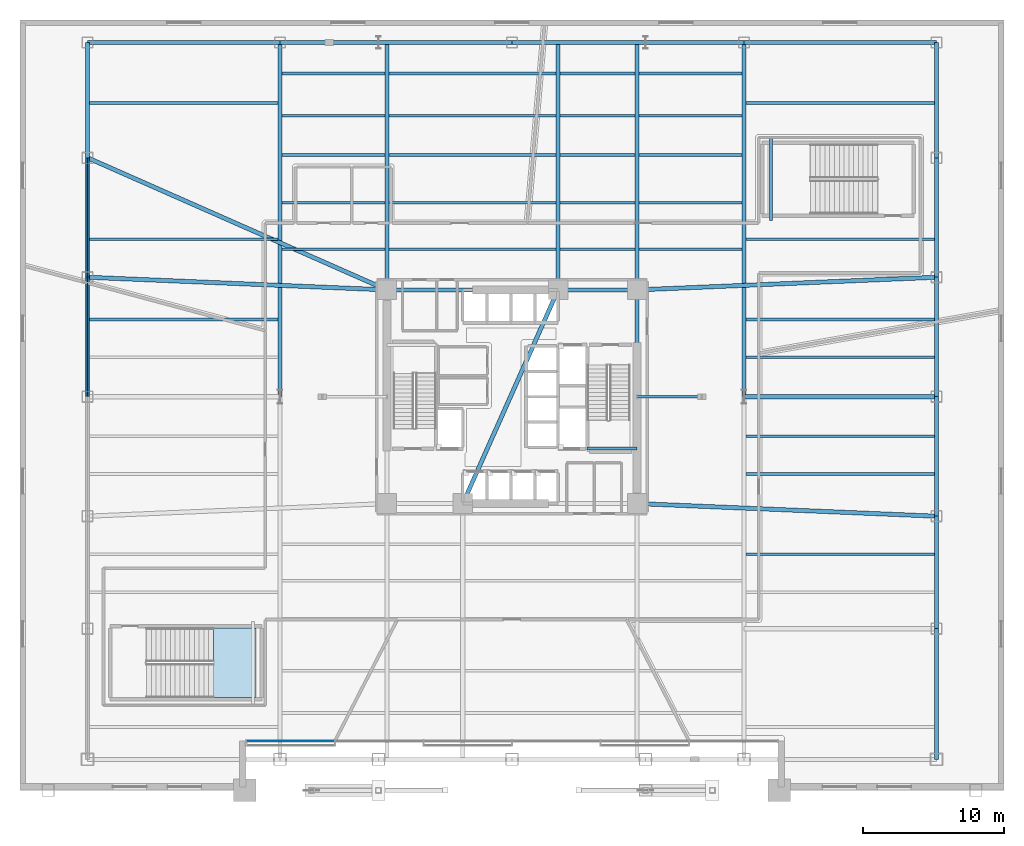
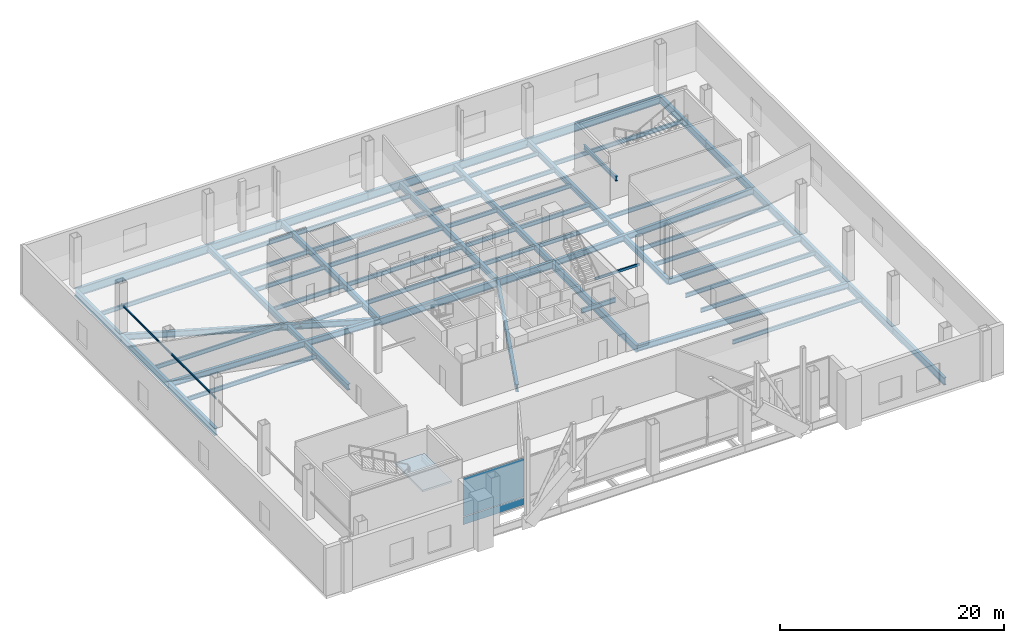
# One storey, part 5 of 16: 62 beams, 2 members, 2 plates, 1 slab, 2 elements without a shape of their own.
"""IFC4 building model written with IfcOpenShell, lengths in metres."""

import ifcopenshell
import ifcopenshell.guid

model = None  # the IFC model being written
_history = None  # IfcOwnerHistory: only IFC2X3 demands one
_inside = {}  # id of a spatial element -> (the spatial element, [elements in it])
_under = {}  # id of a project, library or spatial element -> (it, [spatial elements below it])
_declared = {}  # id of a project -> (the project, [libraries it declares])
_typed = {}  # id of a type object -> (the type object, [elements of that type])
_made_of = {}  # id of a material, layer set ... -> (it, [elements and type objects made of it])


def new_model(schema):
    """Start an empty IFC model of exactly this schema.

    Asked for "IFC4X3", IfcOpenShell would pick the latest addendum, in which some entities
    have other attributes; the version numbers below select the first issue.
    IFC2X3 requires an IfcOwnerHistory on every rooted entity: one is made here for all.
    """
    global model, _history
    if schema == "IFC4X3":
        model = ifcopenshell.file(schema_version=(4, 3, 0, 0))
    else:
        model = ifcopenshell.file(schema=schema)
    _inside.clear()
    _under.clear()
    _declared.clear()
    _typed.clear()
    _made_of.clear()
    _history = None
    if model.schema == "IFC2X3":
        org = make("IfcOrganization", Name="unknown")
        user = make(
            "IfcPersonAndOrganization",
            ThePerson=make("IfcPerson", FamilyName="unknown"),
            TheOrganization=org,
        )
        app = make(
            "IfcApplication",
            ApplicationDeveloper=org,
            Version="unknown",
            ApplicationFullName="unknown",
            ApplicationIdentifier="unknown",
        )
        _history = make(
            "IfcOwnerHistory",
            OwningUser=user,
            OwningApplication=app,
            ChangeAction="ADDED",
            CreationDate=0,
        )
    return model


def make(cls, **values):
    """One entity of the class cls with the attributes given. An attribute that is None is left unset."""
    return model.create_entity(
        cls, **{name: value for name, value in values.items() if value is not None}
    )


def rooted(cls, **values):
    """An entity with a GlobalId (a new one), such as an element, a storey or a relation."""
    return make(cls, GlobalId=ifcopenshell.guid.new(), OwnerHistory=_history, **values)


def si_unit(unit_type, name, prefix=None):
    """IfcSIUnit, for example si_unit("LENGTHUNIT", "METRE", prefix="MILLI")."""
    return make("IfcSIUnit", UnitType=unit_type, Prefix=prefix, Name=name)


def assignment(units):
    """IfcUnitAssignment: the units of a project."""
    return None if units is None else make("IfcUnitAssignment", Units=units)


def point(xyz):
    """IfcCartesianPoint."""
    return None if xyz is None else make("IfcCartesianPoint", Coordinates=xyz)


def direction(xyz):
    """IfcDirection."""
    return None if xyz is None else make("IfcDirection", DirectionRatios=xyz)


def frame(location, z_axis=None, x_axis=None):
    """IfcAxis2Placement3D, a coordinate frame: its origin and axes. An axis left out is left unset."""
    return make(
        "IfcAxis2Placement3D",
        Location=point(location),
        Axis=direction(z_axis),
        RefDirection=direction(x_axis),
    )


def frame_2d(location, x_axis=None):
    """IfcAxis2Placement2D, a coordinate frame in the plane: its origin and x axis."""
    return make(
        "IfcAxis2Placement2D", Location=point(location), RefDirection=direction(x_axis)
    )


def origin():
    """The frame at (0, 0, 0) with its axes left unset."""
    return frame((0.0, 0.0, 0.0))


def origin_2d():
    """The frame at (0, 0) in the plane with its x axis left unset."""
    return frame_2d((0.0, 0.0))


def place(relative_to, where):
    """IfcLocalPlacement: puts the frame where relative to a parent placement (None: the world)."""
    return make(
        "IfcLocalPlacement", PlacementRelTo=relative_to, RelativePlacement=where
    )


def context(
    kind, dimensions, precision=None, world=None, true_north=None, identifier=None
):
    """IfcGeometricRepresentationContext, for example the 3D "Model" context."""
    return make(
        "IfcGeometricRepresentationContext",
        ContextIdentifier=identifier,
        ContextType=kind,
        CoordinateSpaceDimension=dimensions,
        Precision=precision,
        WorldCoordinateSystem=world,
        TrueNorth=true_north,
    )


def subcontext(parent, identifier, kind, view, scale=None):
    """IfcGeometricRepresentationSubContext, for example "Body" below "Model"."""
    return make(
        "IfcGeometricRepresentationSubContext",
        ContextIdentifier=identifier,
        ContextType=kind,
        ParentContext=parent,
        TargetScale=scale,
        TargetView=view,
    )


def project(units=None, contexts=None):
    """IfcProject with its units and contexts."""
    return rooted(
        "IfcProject",
        Name="project",
        RepresentationContexts=contexts,
        UnitsInContext=assignment(units),
    )


def spatial(cls, under=None, at=None, **own):
    """A site, building, storey or space (cls), placed at a placement, below another one or the project."""
    s = rooted(cls, ObjectPlacement=at, **own)
    if under is not None:
        _under.setdefault(under.id(), (under, []))[1].append(s)
    return s


def polyline(points):
    """IfcPolyline through the points."""
    return make("IfcPolyline", Points=[point(p) for p in points])


def profile(cls, at=None, kind="AREA", **sizes):
    """A parametric profile (cls). Its sizes go by their IFC names, for example OverallWidth=200.0."""
    return make(cls, ProfileType=kind, Position=at, **sizes)


def rectangle(**sizes):
    """IfcRectangleProfileDef."""
    return profile("IfcRectangleProfileDef", **sizes)


def hollow_rectangle(**sizes):
    """IfcRectangleHollowProfileDef."""
    return profile("IfcRectangleHollowProfileDef", **sizes)


def i_section(**sizes):
    """IfcIShapeProfileDef."""
    return profile("IfcIShapeProfileDef", **sizes)


def outline(outer, holes=None, kind="AREA"):
    """IfcArbitraryClosedProfileDef: a profile drawn as a closed curve; with holes, ...WithVoids."""
    if holes is None:
        return make("IfcArbitraryClosedProfileDef", ProfileType=kind, OuterCurve=outer)
    return make(
        "IfcArbitraryProfileDefWithVoids",
        ProfileType=kind,
        OuterCurve=outer,
        InnerCurves=holes,
    )


def extrude(swept, where, along, depth):
    """IfcExtrudedAreaSolid: the profile swept, set in the frame where, extruded along a direction by depth."""
    return make(
        "IfcExtrudedAreaSolid",
        SweptArea=swept,
        Position=where,
        ExtrudedDirection=direction(along),
        Depth=depth,
    )


def shape(context_of_items, identifier, shape_type, items):
    """IfcShapeRepresentation: the items that make up one representation, for example the "Body"."""
    return make(
        "IfcShapeRepresentation",
        ContextOfItems=context_of_items,
        RepresentationIdentifier=identifier,
        RepresentationType=shape_type,
        Items=items,
    )


def material(Name=None, Category=None):
    """IfcMaterial."""
    return make("IfcMaterial", Name=Name, Category=Category)


def layer(
    of_material, thickness, ventilated=None, Name=None, Category=None, Priority=None
):
    """IfcMaterialLayer: one layer of a wall or slab, of a material (None: an air gap)."""
    return make(
        "IfcMaterialLayer",
        Material=of_material,
        LayerThickness=thickness,
        IsVentilated=ventilated,
        Name=Name,
        Category=Category,
        Priority=Priority,
    )


def layer_set(layers, Name=None):
    """IfcMaterialLayerSet."""
    return make("IfcMaterialLayerSet", MaterialLayers=layers, LayerSetName=Name)


def material_profile(
    of_material, cross_section, Name=None, Category=None, Priority=None
):
    """IfcMaterialProfile: a cross section and its material."""
    return make(
        "IfcMaterialProfile",
        Name=Name,
        Material=of_material,
        Profile=cross_section,
        Priority=Priority,
        Category=Category,
    )


def profile_set(profiles, Name=None, composite=None):
    """IfcMaterialProfileSet."""
    return make(
        "IfcMaterialProfileSet",
        Name=Name,
        MaterialProfiles=profiles,
        CompositeProfile=composite,
    )


def made_of(thing, what):
    """Note that an element or type object is made of a material, layer set ...; save() writes the relation."""
    if what is not None:
        _made_of.setdefault(what.id(), (what, []))[1].append(thing)
    return thing


def type_object(cls, material=None, **own):
    """A type object (cls), such as IfcWallType, which elements share."""
    return made_of(rooted(cls, **own), material)


def element(
    cls,
    number,
    at=None,
    inside=None,
    cuts=None,
    type_object=None,
    material=None,
    context=None,
    identifier="Body",
    shape_type=None,
    held_by="IfcProductDefinitionShape",
    body=None,
    shapes=None,
    **own,
):
    """One element of the class cls, such as IfcWall. Its Tag is "e" and its number.

    at: its placement. inside: the storey or other place that contains it. cuts: it is an
    opening in that element (IfcRelVoidsElement). A single representation is given by context,
    identifier, shape_type and body (its items); several are given by shapes. held_by: the class
    of the entity that holds the representations. save() writes the other relations.
    """
    e = rooted(cls, Tag="e%d" % number, ObjectPlacement=at, **own)
    if body is not None:
        shapes = [shape(context, identifier, shape_type, body)]
    if shapes is not None:
        e.Representation = make(held_by, Representations=shapes)
    if inside is not None:
        _inside.setdefault(inside.id(), (inside, []))[1].append(e)
    if cuts is not None:
        rooted(
            "IfcRelVoidsElement", RelatingBuildingElement=cuts, RelatedOpeningElement=e
        )
    if type_object is not None:
        _typed.setdefault(type_object.id(), (type_object, []))[1].append(e)
    return made_of(e, material)


def aggregate(whole, parts):
    """IfcRelAggregates: a whole, such as a stair, and the parts it consists of."""
    return rooted("IfcRelAggregates", RelatingObject=whole, RelatedObjects=parts)


def save(model, path):
    """Write the relations noted so far, then the file.

    IfcRelAggregates (storeys below a building ...), IfcRelContainedInSpatialStructure (elements
    in a storey), IfcRelDefinesByType, IfcRelAssociatesMaterial and IfcRelDeclares: one each for
    every whole, place, type object, material and project.
    """
    for whole, parts in _under.values():
        aggregate(whole, parts)
    for where, things in _inside.values():
        rooted(
            "IfcRelContainedInSpatialStructure",
            RelatedElements=things,
            RelatingStructure=where,
        )
    for kind, things in _typed.values():
        rooted("IfcRelDefinesByType", RelatedObjects=things, RelatingType=kind)
    for what, things in _made_of.values():
        rooted("IfcRelAssociatesMaterial", RelatedObjects=things, RelatingMaterial=what)
    for by, libraries in _declared.values():
        rooted("IfcRelDeclares", RelatingContext=by, RelatedDefinitions=libraries)
    model.write(path)


model = new_model("IFC4")

# Units and contexts
model_context = context("Model", 3, precision=1e-05, world=origin(), true_north=direction((0.0, 1.0)))
body_context = subcontext(model_context, "Body", "Model", "MODEL_VIEW")
ifc_project = project(units=[si_unit("LENGTHUNIT", "METRE"), si_unit("AREAUNIT", "SQUARE_METRE"), si_unit("VOLUMEUNIT", "CUBIC_METRE"), si_unit("PLANEANGLEUNIT", "RADIAN"), si_unit("MASSUNIT", "GRAM", prefix="KILO")], contexts=[model_context])

# Site, building, storey
site_placement = place(None, origin())
site = spatial("IfcSite", under=ifc_project, at=site_placement, CompositionType="ELEMENT")
building_placement = place(site_placement, origin())
building = spatial("IfcBuilding", under=site, at=building_placement, Name="Tharavind Bronze Gate", CompositionType="ELEMENT")
storey_placement = place(building_placement, frame((0.0, 0.0, 5.5)))
storey = spatial("IfcBuildingStorey", under=building, at=storey_placement, Name="L01", CompositionType="ELEMENT", Elevation=5.5)

# Beams
ifc_material_1 = material(Name="Steel S355", Category="steel")
ifc_material_profile_1 = material_profile(ifc_material_1, hollow_rectangle(XDim=0.14990234375, YDim=0.25, WallThickness=0.011962890625, at=origin_2d()), Name="RHS250X150X12")
ifc_profile_set_1 = profile_set([ifc_material_profile_1], Name="Steel S355")
beam_type_1 = type_object("IfcBeamType", Name="OPENING LINTEL BEAM RHS250", PredefinedType="LINTEL", material=ifc_profile_set_1)
beam_1_placement = place(storey_placement, frame((8.89990234375, 0.0, 2.324951171875), z_axis=(1.0, 0.0, 0.0), x_axis=(0.0, 1.0, 0.0)))
element("IfcBeam", 1, at=beam_1_placement, inside=storey, type_object=beam_type_1, Name="L01 opening lintel beam rhs250 BM-L01-LNT2", PredefinedType="LINTEL", context=body_context, shape_type="SweptSolid", body=[
    extrude(hollow_rectangle(XDim=0.14990234375, YDim=0.25, WallThickness=0.011962890625, at=origin_2d()), origin(), (0.0, 0.0, 1.0), 4.60009765625),
])
ifc_material_profile_2 = material_profile(ifc_material_1, i_section(OverallWidth=0.300048828125, OverallDepth=0.64990234375, WebThickness=0.01611328125, FlangeThickness=0.031005859375, at=origin_2d()), Name="HE650B")
ifc_profile_set_2 = profile_set([ifc_material_profile_2], Name="Steel S355")
beam_type_2 = type_object("IfcBeamType", Name="PRIMARY GIRDER HE650B", PredefinedType="USERDEFINED", material=ifc_profile_set_2)
for number, where, z_axis, x_axis, name in (
    (2, (-16.5, 0.0, -0.60498046875), (0.0, 1.0, 0.0), (-1.0, 0.0, 0.0), "L01 primary girder he650b BM-L01-GS1N"),
    (3, (16.5, 0.0, -0.60498046875), (0.0, 1.0, 0.0), (-1.0, 0.0, 0.0), "L01 primary girder he650b BM-L01-GS5N"),
):
    element("IfcBeam", number, at=place(storey_placement, frame(where, z_axis=z_axis, x_axis=x_axis)), inside=storey, type_object=beam_type_2, Name=name, ObjectType="GIRDER", PredefinedType="USERDEFINED", context=body_context, shape_type="SweptSolid", body=[
        extrude(i_section(OverallWidth=0.300048828125, OverallDepth=0.64990234375, WebThickness=0.01611328125, FlangeThickness=0.031005859375, at=origin_2d()), origin(), (0.0, 0.0, 1.0), 25.199951171875),
    ])
for number, where, z_axis, x_axis, name in (
    (4, (-8.89990234375, 25.199951171875, -0.60498046875), (0.0, -1.0, 0.0), (1.0, 0.0, 0.0), "L01 primary girder he650b BM-L01-GN2"),
    (5, (3.280029296875, 25.199951171875, -0.60498046875), (0.0, -1.0, 0.0), (1.0, 0.0, 0.0), "L01 primary girder he650b BM-L01-GN3"),
    (6, (8.89990234375, 25.199951171875, -0.60498046875), (0.0, -1.0, 0.0), (1.0, 0.0, 0.0), "L01 primary girder he650b BM-L01-GN4"),
):
    element("IfcBeam", number, at=place(storey_placement, frame(where, z_axis=z_axis, x_axis=x_axis)), inside=storey, type_object=beam_type_2, Name=name, ObjectType="GIRDER", PredefinedType="USERDEFINED", context=body_context, shape_type="SweptSolid", body=[
        extrude(i_section(OverallWidth=0.300048828125, OverallDepth=0.64990234375, WebThickness=0.01611328125, FlangeThickness=0.031005859375, at=origin_2d()), origin(), (0.0, 0.0, 1.0), 17.599853515625),
    ])
beam_2_placement = place(storey_placement, frame((-30.199951171875, 8.5, -0.60498046875), z_axis=(0.999108710794, -0.04221118354, 0.0), x_axis=(0.04221118354, 0.999108710794, 0.0)))
element("IfcBeam", 7, at=beam_2_placement, inside=storey, type_object=beam_type_2, Name="L01 primary girder he650b BM-L01-GW2", ObjectType="GIRDER", PredefinedType="USERDEFINED", context=body_context, shape_type="SweptSolid", body=[
    extrude(i_section(OverallWidth=0.300048828125, OverallDepth=0.64990234375, WebThickness=0.01611328125, FlangeThickness=0.031005859375, at=origin_2d()), origin(), (0.0, 0.0, 1.0), 21.319091796875),
])
beam_3_placement = place(storey_placement, frame((-30.199951171875, 17.0, -0.60498046875), z_axis=(0.914873033852, -0.403741664844, 0.0), x_axis=(0.403741664844, 0.914873033852, 0.0)))
element("IfcBeam", 8, at=beam_3_placement, inside=storey, type_object=beam_type_2, Name="L01 primary girder he650b BM-L01-GW4", ObjectType="GIRDER", PredefinedType="USERDEFINED", context=body_context, shape_type="SweptSolid", body=[
    extrude(i_section(OverallWidth=0.300048828125, OverallDepth=0.64990234375, WebThickness=0.01611328125, FlangeThickness=0.031005859375, at=origin_2d()), origin(), (0.0, 0.0, 1.0), 23.281982421875),
])
for number, where, z_axis, x_axis, name in (
    (9, (30.199951171875, -8.5, -0.60498046875), (-0.999108710794, 0.04221118354, 0.0), (-0.04221118354, -0.999108710794, 0.0), "L01 primary girder he650b BM-L01-GE1"),
    (10, (30.199951171875, 8.5, -0.60498046875), (-0.999108710794, -0.04221118354, 0.0), (0.04221118354, -0.999108710794, 0.0), "L01 primary girder he650b BM-L01-GE2"),
):
    element("IfcBeam", number, at=place(storey_placement, frame(where, z_axis=z_axis, x_axis=x_axis)), inside=storey, type_object=beam_type_2, Name=name, ObjectType="GIRDER", PredefinedType="USERDEFINED", context=body_context, shape_type="SweptSolid", body=[
        extrude(i_section(OverallWidth=0.300048828125, OverallDepth=0.64990234375, WebThickness=0.01611328125, FlangeThickness=0.031005859375, at=origin_2d()), origin(), (0.0, 0.0, 1.0), 21.319091796875),
    ])
beam_4_placement = place(storey_placement, frame((30.199951171875, 0.0, -0.60498046875), z_axis=(-1.0, 0.0, 0.0), x_axis=(0.0, -1.0, 0.0)))
element("IfcBeam", 11, at=beam_4_placement, inside=storey, type_object=beam_type_2, Name="L01 primary girder he650b BM-L01-GE3", ObjectType="GIRDER", PredefinedType="USERDEFINED", context=body_context, shape_type="SweptSolid", body=[
    extrude(i_section(OverallWidth=0.300048828125, OverallDepth=0.64990234375, WebThickness=0.01611328125, FlangeThickness=0.031005859375, at=origin_2d()), origin(), (0.0, 0.0, 1.0), 13.699951171875),
])
ifc_material_profile_3 = material_profile(ifc_material_1, i_section(OverallWidth=0.199951171875, OverallDepth=0.5, WebThickness=0.01025390625, FlangeThickness=0.01611328125, at=origin_2d()), Name="IPE500")
ifc_profile_set_3 = profile_set([ifc_material_profile_3], Name="Steel S355")
beam_type_3 = type_object("IfcBeamType", Name="PRIMARY GIRDER IPE500", PredefinedType="USERDEFINED", material=ifc_profile_set_3)
beam_5_placement = place(storey_placement, frame((5.35009765625, -3.679931640625, 2.300048828125), z_axis=(1.0, 0.0, 0.0), x_axis=(0.0, 1.0, 0.0)))
element("IfcBeam", 12, at=beam_5_placement, inside=storey, type_object=beam_type_3, Name="L01 primary girder ipe500 BM-LD-ST2-L01-1", ObjectType="GIRDER", PredefinedType="USERDEFINED", context=body_context, shape_type="SweptSolid", body=[
    extrude(i_section(OverallWidth=0.199951171875, OverallDepth=0.5, WebThickness=0.01025390625, FlangeThickness=0.01611328125, at=origin_2d()), origin(), (0.0, 0.0, 1.0), 3.5498046875),
])
beam_6_placement = place(storey_placement, frame((18.419921875, 12.550048828125, 2.300048828125), z_axis=(0.0, 1.0, 0.0), x_axis=(-1.0, 0.0, 0.0)))
element("IfcBeam", 13, at=beam_6_placement, inside=storey, type_object=beam_type_3, Name="L01 primary girder ipe500 BM-LD-ST4-L01-1", ObjectType="GIRDER", PredefinedType="USERDEFINED", context=body_context, shape_type="SweptSolid", body=[
    extrude(i_section(OverallWidth=0.199951171875, OverallDepth=0.5, WebThickness=0.01025390625, FlangeThickness=0.01611328125, at=origin_2d()), origin(), (0.0, 0.0, 1.0), 5.849853515625),
])
ifc_material_profile_4 = material_profile(ifc_material_1, i_section(OverallWidth=0.300048828125, OverallDepth=0.800048828125, WebThickness=0.017578125, FlangeThickness=0.032958984375, at=origin_2d()), Name="HE800B")
ifc_profile_set_4 = profile_set([ifc_material_profile_4], Name="Steel S355")
beam_type_4 = type_object("IfcBeamType", Name="RING GIRDER HE800B", PredefinedType="USERDEFINED", material=ifc_profile_set_4)
beam_7_placement = place(storey_placement, frame((8.89990234375, -7.60009765625, -0.679931640625), z_axis=(0.0, 1.0, 0.0), x_axis=(-1.0, 0.0, 0.0)))
element("IfcBeam", 14, at=beam_7_placement, inside=storey, type_object=beam_type_4, Name="L01 ring girder he800b BM-L01-CR3", ObjectType="GIRDER", PredefinedType="USERDEFINED", context=body_context, shape_type="SweptSolid", body=[
    extrude(i_section(OverallWidth=0.300048828125, OverallDepth=0.800048828125, WebThickness=0.017578125, FlangeThickness=0.032958984375, at=origin_2d()), origin(), (0.0, 0.0, 1.0), 15.2001953125),
])
beam_8_placement = place(storey_placement, frame((8.89990234375, 7.60009765625, -0.679931640625), z_axis=(-1.0, 0.0, 0.0), x_axis=(0.0, -1.0, 0.0)))
element("IfcBeam", 15, at=beam_8_placement, inside=storey, type_object=beam_type_4, Name="L01 ring girder he800b BM-L01-CR4", ObjectType="GIRDER", PredefinedType="USERDEFINED", context=body_context, shape_type="SweptSolid", body=[
    extrude(i_section(OverallWidth=0.300048828125, OverallDepth=0.800048828125, WebThickness=0.017578125, FlangeThickness=0.032958984375, at=origin_2d()), origin(), (0.0, 0.0, 1.0), 5.619873046875),
])
beam_9_placement = place(storey_placement, frame((3.280029296875, 7.60009765625, -0.679931640625), z_axis=(-1.0, 0.0, 0.0), x_axis=(0.0, -1.0, 0.0)))
element("IfcBeam", 16, at=beam_9_placement, inside=storey, type_object=beam_type_4, Name="L01 ring girder he800b BM-L01-CR5", ObjectType="GIRDER", PredefinedType="USERDEFINED", context=body_context, shape_type="SweptSolid", body=[
    extrude(i_section(OverallWidth=0.300048828125, OverallDepth=0.800048828125, WebThickness=0.017578125, FlangeThickness=0.032958984375, at=origin_2d()), origin(), (0.0, 0.0, 1.0), 12.179931640625),
])
beam_10_placement = place(storey_placement, frame((-3.5, -7.60009765625, -0.679931640625), z_axis=(0.407361644566, 0.913266932795, 0.0), x_axis=(-0.913266932795, 0.407361644566, 0.0)))
element("IfcBeam", 17, at=beam_10_placement, inside=storey, type_object=beam_type_4, Name="L01 ring girder he800b BM-L01-CR7", ObjectType="GIRDER", PredefinedType="USERDEFINED", context=body_context, shape_type="SweptSolid", body=[
    extrude(i_section(OverallWidth=0.300048828125, OverallDepth=0.800048828125, WebThickness=0.017578125, FlangeThickness=0.032958984375, at=origin_2d()), origin(), (0.0, 0.0, 1.0), 16.643798828125),
])
beam_11_placement = place(storey_placement, frame((30.199951171875, -25.800048828125, -0.679931640625), z_axis=(0.0, 1.0, 0.0), x_axis=(-1.0, 0.0, 0.0)))
element("IfcBeam", 18, at=beam_11_placement, inside=storey, type_object=beam_type_4, Name="L01 ring girder he800b BM-L01-PE1", ObjectType="GIRDER", PredefinedType="USERDEFINED", context=body_context, shape_type="SweptSolid", body=[
    extrude(i_section(OverallWidth=0.300048828125, OverallDepth=0.800048828125, WebThickness=0.017578125, FlangeThickness=0.032958984375, at=origin_2d()), origin(), (0.0, 0.0, 1.0), 9.300048828125),
])
beam_12_placement = place(storey_placement, frame((30.199951171875, -16.5, -0.679931640625), z_axis=(0.0, 1.0, 0.0), x_axis=(-1.0, 0.0, 0.0)))
element("IfcBeam", 19, at=beam_12_placement, inside=storey, type_object=beam_type_4, Name="L01 ring girder he800b BM-L01-PE2", ObjectType="GIRDER", PredefinedType="USERDEFINED", context=body_context, shape_type="SweptSolid", body=[
    extrude(i_section(OverallWidth=0.300048828125, OverallDepth=0.800048828125, WebThickness=0.017578125, FlangeThickness=0.032958984375, at=origin_2d()), origin(), (0.0, 0.0, 1.0), 8.0),
])
for number, where, z_axis, x_axis, name in (
    (20, (30.199951171875, -8.5, -0.679931640625), (0.0, 1.0, 0.0), (-1.0, 0.0, 0.0), "L01 ring girder he800b BM-L01-PE3"),
    (21, (-30.199951171875, 0.0, -0.679931640625), (0.0, 1.0, 0.0), (-1.0, 0.0, 0.0), "L01 ring girder he800b BM-L01-PW4"),
    (22, (30.199951171875, 0.0, -0.679931640625), (0.0, 1.0, 0.0), (-1.0, 0.0, 0.0), "L01 ring girder he800b BM-L01-PE4"),
    (23, (-30.199951171875, 8.5, -0.679931640625), (0.0, 1.0, 0.0), (-1.0, 0.0, 0.0), "L01 ring girder he800b BM-L01-PW5"),
    (24, (30.199951171875, 8.5, -0.679931640625), (0.0, 1.0, 0.0), (-1.0, 0.0, 0.0), "L01 ring girder he800b BM-L01-PE5"),
):
    element("IfcBeam", number, at=place(storey_placement, frame(where, z_axis=z_axis, x_axis=x_axis)), inside=storey, type_object=beam_type_4, Name=name, ObjectType="GIRDER", PredefinedType="USERDEFINED", context=body_context, shape_type="SweptSolid", body=[
        extrude(i_section(OverallWidth=0.300048828125, OverallDepth=0.800048828125, WebThickness=0.017578125, FlangeThickness=0.032958984375, at=origin_2d()), origin(), (0.0, 0.0, 1.0), 8.5),
    ])
for number, where, z_axis, x_axis, name in (
    (25, (-30.199951171875, 17.0, -0.679931640625), (0.0, 1.0, 0.0), (-1.0, 0.0, 0.0), "L01 ring girder he800b BM-L01-PW6"),
    (26, (30.199951171875, 17.0, -0.679931640625), (0.0, 1.0, 0.0), (-1.0, 0.0, 0.0), "L01 ring girder he800b BM-L01-PE6"),
):
    element("IfcBeam", number, at=place(storey_placement, frame(where, z_axis=z_axis, x_axis=x_axis)), inside=storey, type_object=beam_type_4, Name=name, ObjectType="GIRDER", PredefinedType="USERDEFINED", context=body_context, shape_type="SweptSolid", body=[
        extrude(i_section(OverallWidth=0.300048828125, OverallDepth=0.800048828125, WebThickness=0.017578125, FlangeThickness=0.032958984375, at=origin_2d()), origin(), (0.0, 0.0, 1.0), 8.199951171875),
    ])
ifc_material_profile_5 = material_profile(ifc_material_1, i_section(OverallWidth=0.18994140625, OverallDepth=0.449951171875, WebThickness=0.009521484375, FlangeThickness=0.0146484375, at=origin_2d()), Name="IPE450")
ifc_profile_set_5 = profile_set([ifc_material_profile_5], Name="Steel S355")
beam_type_5 = type_object("IfcBeamType", Name="SECONDARY FLOOR JOIST IPE450", PredefinedType="JOIST", material=ifc_profile_set_5)
beam_13_placement = place(storey_placement, frame((-8.748046875, 10.5, -0.5048828125), z_axis=(1.0, 0.0, 0.0), x_axis=(0.0, 1.0, 0.0)))
element("IfcBeam", 27, at=beam_13_placement, inside=storey, type_object=beam_type_5, Name="L01 secondary floor joist ipe450 BM-L01-JSN1A", PredefinedType="JOIST", context=body_context, shape_type="SweptSolid", body=[
    extrude(i_section(OverallWidth=0.18994140625, OverallDepth=0.449951171875, WebThickness=0.009521484375, FlangeThickness=0.0146484375, at=origin_2d()), origin(), (0.0, 0.0, 1.0), 11.8759765625),
])
beam_14_placement = place(storey_placement, frame((3.431884765625, 10.5, -0.5048828125), z_axis=(1.0, 0.0, 0.0), x_axis=(0.0, 1.0, 0.0)))
element("IfcBeam", 28, at=beam_14_placement, inside=storey, type_object=beam_type_5, Name="L01 secondary floor joist ipe450 BM-L01-JSN1B", PredefinedType="JOIST", context=body_context, shape_type="SweptSolid", body=[
    extrude(i_section(OverallWidth=0.18994140625, OverallDepth=0.449951171875, WebThickness=0.009521484375, FlangeThickness=0.0146484375, at=origin_2d()), origin(), (0.0, 0.0, 1.0), 5.316162109375),
])
for number, where, z_axis, x_axis, name in (
    (29, (-16.347900390625, 10.5, -0.5048828125), (1.0, 0.0, 0.0), (0.0, 1.0, 0.0), "L01 secondary floor joist ipe450 BM-L01-JSN1W"),
    (30, (9.052001953125, 10.5, -0.5048828125), (1.0, 0.0, 0.0), (0.0, 1.0, 0.0), "L01 secondary floor joist ipe450 BM-L01-JSN1E"),
):
    element("IfcBeam", number, at=place(storey_placement, frame(where, z_axis=z_axis, x_axis=x_axis)), inside=storey, type_object=beam_type_5, Name=name, PredefinedType="JOIST", context=body_context, shape_type="SweptSolid", body=[
        extrude(i_section(OverallWidth=0.18994140625, OverallDepth=0.449951171875, WebThickness=0.009521484375, FlangeThickness=0.0146484375, at=origin_2d()), origin(), (0.0, 0.0, 1.0), 7.2958984375),
    ])
beam_15_placement = place(storey_placement, frame((-8.748046875, 13.800048828125, -0.5048828125), z_axis=(1.0, 0.0, 0.0), x_axis=(0.0, 1.0, 0.0)))
element("IfcBeam", 31, at=beam_15_placement, inside=storey, type_object=beam_type_5, Name="L01 secondary floor joist ipe450 BM-L01-JSN2A", PredefinedType="JOIST", context=body_context, shape_type="SweptSolid", body=[
    extrude(i_section(OverallWidth=0.18994140625, OverallDepth=0.449951171875, WebThickness=0.009521484375, FlangeThickness=0.0146484375, at=origin_2d()), origin(), (0.0, 0.0, 1.0), 11.8759765625),
])
beam_16_placement = place(storey_placement, frame((3.431884765625, 13.800048828125, -0.5048828125), z_axis=(1.0, 0.0, 0.0), x_axis=(0.0, 1.0, 0.0)))
element("IfcBeam", 32, at=beam_16_placement, inside=storey, type_object=beam_type_5, Name="L01 secondary floor joist ipe450 BM-L01-JSN2B", PredefinedType="JOIST", context=body_context, shape_type="SweptSolid", body=[
    extrude(i_section(OverallWidth=0.18994140625, OverallDepth=0.449951171875, WebThickness=0.009521484375, FlangeThickness=0.0146484375, at=origin_2d()), origin(), (0.0, 0.0, 1.0), 5.316162109375),
])
for number, where, z_axis, x_axis, name in (
    (33, (-16.347900390625, 13.800048828125, -0.5048828125), (1.0, 0.0, 0.0), (0.0, 1.0, 0.0), "L01 secondary floor joist ipe450 BM-L01-JSN2W"),
    (34, (9.052001953125, 13.800048828125, -0.5048828125), (1.0, 0.0, 0.0), (0.0, 1.0, 0.0), "L01 secondary floor joist ipe450 BM-L01-JSN2E"),
):
    element("IfcBeam", number, at=place(storey_placement, frame(where, z_axis=z_axis, x_axis=x_axis)), inside=storey, type_object=beam_type_5, Name=name, PredefinedType="JOIST", context=body_context, shape_type="SweptSolid", body=[
        extrude(i_section(OverallWidth=0.18994140625, OverallDepth=0.449951171875, WebThickness=0.009521484375, FlangeThickness=0.0146484375, at=origin_2d()), origin(), (0.0, 0.0, 1.0), 7.2958984375),
    ])
beam_17_placement = place(storey_placement, frame((-8.748046875, 17.199951171875, -0.5048828125), z_axis=(1.0, 0.0, 0.0), x_axis=(0.0, 1.0, 0.0)))
element("IfcBeam", 35, at=beam_17_placement, inside=storey, type_object=beam_type_5, Name="L01 secondary floor joist ipe450 BM-L01-JSN3A", PredefinedType="JOIST", context=body_context, shape_type="SweptSolid", body=[
    extrude(i_section(OverallWidth=0.18994140625, OverallDepth=0.449951171875, WebThickness=0.009521484375, FlangeThickness=0.0146484375, at=origin_2d()), origin(), (0.0, 0.0, 1.0), 11.8759765625),
])
beam_18_placement = place(storey_placement, frame((3.431884765625, 17.199951171875, -0.5048828125), z_axis=(1.0, 0.0, 0.0), x_axis=(0.0, 1.0, 0.0)))
element("IfcBeam", 36, at=beam_18_placement, inside=storey, type_object=beam_type_5, Name="L01 secondary floor joist ipe450 BM-L01-JSN3B", PredefinedType="JOIST", context=body_context, shape_type="SweptSolid", body=[
    extrude(i_section(OverallWidth=0.18994140625, OverallDepth=0.449951171875, WebThickness=0.009521484375, FlangeThickness=0.0146484375, at=origin_2d()), origin(), (0.0, 0.0, 1.0), 5.316162109375),
])
for number, where, z_axis, x_axis, name in (
    (37, (-16.347900390625, 17.199951171875, -0.5048828125), (1.0, 0.0, 0.0), (0.0, 1.0, 0.0), "L01 secondary floor joist ipe450 BM-L01-JSN3W"),
    (38, (9.052001953125, 17.199951171875, -0.5048828125), (1.0, 0.0, 0.0), (0.0, 1.0, 0.0), "L01 secondary floor joist ipe450 BM-L01-JSN3E"),
):
    element("IfcBeam", number, at=place(storey_placement, frame(where, z_axis=z_axis, x_axis=x_axis)), inside=storey, type_object=beam_type_5, Name=name, PredefinedType="JOIST", context=body_context, shape_type="SweptSolid", body=[
        extrude(i_section(OverallWidth=0.18994140625, OverallDepth=0.449951171875, WebThickness=0.009521484375, FlangeThickness=0.0146484375, at=origin_2d()), origin(), (0.0, 0.0, 1.0), 7.2958984375),
    ])
beam_19_placement = place(storey_placement, frame((-8.748046875, 20.0, -0.5048828125), z_axis=(1.0, 0.0, 0.0), x_axis=(0.0, 1.0, 0.0)))
element("IfcBeam", 39, at=beam_19_placement, inside=storey, type_object=beam_type_5, Name="L01 secondary floor joist ipe450 BM-L01-JSN4A", PredefinedType="JOIST", context=body_context, shape_type="SweptSolid", body=[
    extrude(i_section(OverallWidth=0.18994140625, OverallDepth=0.449951171875, WebThickness=0.009521484375, FlangeThickness=0.0146484375, at=origin_2d()), origin(), (0.0, 0.0, 1.0), 11.8759765625),
])
beam_20_placement = place(storey_placement, frame((3.431884765625, 20.0, -0.5048828125), z_axis=(1.0, 0.0, 0.0), x_axis=(0.0, 1.0, 0.0)))
element("IfcBeam", 40, at=beam_20_placement, inside=storey, type_object=beam_type_5, Name="L01 secondary floor joist ipe450 BM-L01-JSN4B", PredefinedType="JOIST", context=body_context, shape_type="SweptSolid", body=[
    extrude(i_section(OverallWidth=0.18994140625, OverallDepth=0.449951171875, WebThickness=0.009521484375, FlangeThickness=0.0146484375, at=origin_2d()), origin(), (0.0, 0.0, 1.0), 5.316162109375),
])
for number, where, z_axis, x_axis, name in (
    (41, (-16.347900390625, 20.0, -0.5048828125), (1.0, 0.0, 0.0), (0.0, 1.0, 0.0), "L01 secondary floor joist ipe450 BM-L01-JSN4W"),
    (42, (9.052001953125, 20.0, -0.5048828125), (1.0, 0.0, 0.0), (0.0, 1.0, 0.0), "L01 secondary floor joist ipe450 BM-L01-JSN4E"),
):
    element("IfcBeam", number, at=place(storey_placement, frame(where, z_axis=z_axis, x_axis=x_axis)), inside=storey, type_object=beam_type_5, Name=name, PredefinedType="JOIST", context=body_context, shape_type="SweptSolid", body=[
        extrude(i_section(OverallWidth=0.18994140625, OverallDepth=0.449951171875, WebThickness=0.009521484375, FlangeThickness=0.0146484375, at=origin_2d()), origin(), (0.0, 0.0, 1.0), 7.2958984375),
    ])
beam_21_placement = place(storey_placement, frame((-8.748046875, 23.0, -0.5048828125), z_axis=(1.0, 0.0, 0.0), x_axis=(0.0, 1.0, 0.0)))
element("IfcBeam", 43, at=beam_21_placement, inside=storey, type_object=beam_type_5, Name="L01 secondary floor joist ipe450 BM-L01-JSN5A", PredefinedType="JOIST", context=body_context, shape_type="SweptSolid", body=[
    extrude(i_section(OverallWidth=0.18994140625, OverallDepth=0.449951171875, WebThickness=0.009521484375, FlangeThickness=0.0146484375, at=origin_2d()), origin(), (0.0, 0.0, 1.0), 11.8759765625),
])
beam_22_placement = place(storey_placement, frame((3.431884765625, 23.0, -0.5048828125), z_axis=(1.0, 0.0, 0.0), x_axis=(0.0, 1.0, 0.0)))
element("IfcBeam", 44, at=beam_22_placement, inside=storey, type_object=beam_type_5, Name="L01 secondary floor joist ipe450 BM-L01-JSN5B", PredefinedType="JOIST", context=body_context, shape_type="SweptSolid", body=[
    extrude(i_section(OverallWidth=0.18994140625, OverallDepth=0.449951171875, WebThickness=0.009521484375, FlangeThickness=0.0146484375, at=origin_2d()), origin(), (0.0, 0.0, 1.0), 5.316162109375),
])
for number, where, z_axis, x_axis, name in (
    (45, (-16.347900390625, 23.0, -0.5048828125), (1.0, 0.0, 0.0), (0.0, 1.0, 0.0), "L01 secondary floor joist ipe450 BM-L01-JSN5W"),
    (46, (9.052001953125, 23.0, -0.5048828125), (1.0, 0.0, 0.0), (0.0, 1.0, 0.0), "L01 secondary floor joist ipe450 BM-L01-JSN5E"),
):
    element("IfcBeam", number, at=place(storey_placement, frame(where, z_axis=z_axis, x_axis=x_axis)), inside=storey, type_object=beam_type_5, Name=name, PredefinedType="JOIST", context=body_context, shape_type="SweptSolid", body=[
        extrude(i_section(OverallWidth=0.18994140625, OverallDepth=0.449951171875, WebThickness=0.009521484375, FlangeThickness=0.0146484375, at=origin_2d()), origin(), (0.0, 0.0, 1.0), 7.2958984375),
    ])
for number, where, z_axis, x_axis, name in (
    (47, (16.652099609375, -11.199951171875, -0.5048828125), (1.0, 0.0, 0.0), (0.0, 1.0, 0.0), "L01 secondary floor joist ipe450 BM-L01-JSEE3"),
    (48, (16.652099609375, -5.5, -0.5048828125), (1.0, 0.0, 0.0), (0.0, 1.0, 0.0), "L01 secondary floor joist ipe450 BM-L01-JSEE4"),
    (49, (16.652099609375, -2.800048828125, -0.5048828125), (1.0, 0.0, 0.0), (0.0, 1.0, 0.0), "L01 secondary floor joist ipe450 BM-L01-JSEE5"),
    (50, (16.652099609375, 2.800048828125, -0.5048828125), (1.0, 0.0, 0.0), (0.0, 1.0, 0.0), "L01 secondary floor joist ipe450 BM-L01-JSEE6"),
    (51, (-30.0400390625, 5.5, -0.5048828125), (1.0, 0.0, 0.0), (0.0, 1.0, 0.0), "L01 secondary floor joist ipe450 BM-L01-JSWW7"),
    (52, (16.652099609375, 5.5, -0.5048828125), (1.0, 0.0, 0.0), (0.0, 1.0, 0.0), "L01 secondary floor joist ipe450 BM-L01-JSEE7"),
    (53, (-30.0400390625, 11.199951171875, -0.5048828125), (1.0, 0.0, 0.0), (0.0, 1.0, 0.0), "L01 secondary floor joist ipe450 BM-L01-JSWW8"),
    (54, (16.652099609375, 11.199951171875, -0.5048828125), (1.0, 0.0, 0.0), (0.0, 1.0, 0.0), "L01 secondary floor joist ipe450 BM-L01-JSEE8"),
    (55, (-30.0400390625, 20.89990234375, -0.5048828125), (1.0, 0.0, 0.0), (0.0, 1.0, 0.0), "L01 secondary floor joist ipe450 BM-L01-JSWW9"),
    (56, (16.652099609375, 20.89990234375, -0.5048828125), (1.0, 0.0, 0.0), (0.0, 1.0, 0.0), "L01 secondary floor joist ipe450 BM-L01-JSEE9"),
):
    element("IfcBeam", number, at=place(storey_placement, frame(where, z_axis=z_axis, x_axis=x_axis)), inside=storey, type_object=beam_type_5, Name=name, PredefinedType="JOIST", context=body_context, shape_type="SweptSolid", body=[
        extrude(i_section(OverallWidth=0.18994140625, OverallDepth=0.449951171875, WebThickness=0.009521484375, FlangeThickness=0.0146484375, at=origin_2d()), origin(), (0.0, 0.0, 1.0), 13.387939453125),
    ])

# Members
ifc_material_2 = material(Name="Anodised Bronze Aluminium", Category="aluminium")
ifc_material_profile_6 = material_profile(ifc_material_2, i_section(OverallWidth=0.10009765625, OverallDepth=0.199951171875, WebThickness=0.005615234375, FlangeThickness=0.008544921875, at=origin_2d()), Name="IPE200")
ifc_profile_set_6 = profile_set([ifc_material_profile_6], Name="Anodised Bronze Aluminium")
member_type = type_object("IfcMemberType", Name="SOLAR LOUVRE BLADE", PredefinedType="USERDEFINED", material=ifc_profile_set_6)
for number, where, z_axis, x_axis, name in (
    (57, (-30.199951171875, 0.0, 2.949951171875), (0.0, 1.0, 0.0), (-1.0, 0.0, 0.0), "L01 west gallery solar louvre 4"),
    (58, (-30.199951171875, 8.5, 2.949951171875), (0.0, 1.0, 0.0), (-1.0, 0.0, 0.0), "L01 west gallery solar louvre 5"),
):
    element("IfcMember", number, at=place(storey_placement, frame(where, z_axis=z_axis, x_axis=x_axis)), inside=storey, type_object=member_type, Name=name, ObjectType="SOLAR LOUVRE", PredefinedType="USERDEFINED", context=body_context, shape_type="SweptSolid", body=[
        extrude(i_section(OverallWidth=0.10009765625, OverallDepth=0.199951171875, WebThickness=0.005615234375, FlangeThickness=0.008544921875, at=origin_2d()), origin(), (0.0, 0.0, 1.0), 8.5),
    ])

# Beams
ifc_material_profile_7 = material_profile(ifc_material_1, i_section(OverallWidth=0.300048828125, OverallDepth=0.89990234375, WebThickness=0.0185546875, FlangeThickness=0.034912109375, at=origin_2d()), Name="HE900B")
ifc_profile_set_7 = profile_set([ifc_material_profile_7], Name="Steel S355")
beam_type_6 = type_object("IfcBeamType", Name="SPANDREL RING BEAM HE900B", PredefinedType="SPANDREL", material=ifc_profile_set_7)
beam_23_placement = place(storey_placement, frame((-30.199951171875, 25.199951171875, -0.72998046875), z_axis=(1.0, 0.0, 0.0), x_axis=(0.0, 1.0, 0.0)))
element("IfcBeam", 59, at=beam_23_placement, inside=storey, type_object=beam_type_6, Name="L01 spandrel ring beam he900b BM-L01-PN1", PredefinedType="SPANDREL", context=body_context, shape_type="SweptSolid", body=[
    extrude(i_section(OverallWidth=0.300048828125, OverallDepth=0.89990234375, WebThickness=0.0185546875, FlangeThickness=0.034912109375, at=origin_2d()), origin(), (0.0, 0.0, 1.0), 13.699951171875),
])
beam_24_placement = place(storey_placement, frame((-16.5, 25.199951171875, -0.72998046875), z_axis=(1.0, 0.0, 0.0), x_axis=(0.0, 1.0, 0.0)))
element("IfcBeam", 60, at=beam_24_placement, inside=storey, type_object=beam_type_6, Name="L01 spandrel ring beam he900b BM-L01-PN2", PredefinedType="SPANDREL", context=body_context, shape_type="SweptSolid", body=[
    extrude(i_section(OverallWidth=0.300048828125, OverallDepth=0.89990234375, WebThickness=0.0185546875, FlangeThickness=0.034912109375, at=origin_2d()), origin(), (0.0, 0.0, 1.0), 7.0),
])
for number, where, z_axis, x_axis, name in (
    (61, (-9.5, 25.199951171875, -0.72998046875), (1.0, 0.0, 0.0), (0.0, 1.0, 0.0), "L01 spandrel ring beam he900b BM-L01-PN3"),
    (62, (0.0, 25.199951171875, -0.72998046875), (1.0, 0.0, 0.0), (0.0, 1.0, 0.0), "L01 spandrel ring beam he900b BM-L01-PN4"),
):
    element("IfcBeam", number, at=place(storey_placement, frame(where, z_axis=z_axis, x_axis=x_axis)), inside=storey, type_object=beam_type_6, Name=name, PredefinedType="SPANDREL", context=body_context, shape_type="SweptSolid", body=[
        extrude(i_section(OverallWidth=0.300048828125, OverallDepth=0.89990234375, WebThickness=0.0185546875, FlangeThickness=0.034912109375, at=origin_2d()), origin(), (0.0, 0.0, 1.0), 9.5),
    ])
beam_25_placement = place(storey_placement, frame((9.5, 25.199951171875, -0.72998046875), z_axis=(1.0, 0.0, 0.0), x_axis=(0.0, 1.0, 0.0)))
element("IfcBeam", 63, at=beam_25_placement, inside=storey, type_object=beam_type_6, Name="L01 spandrel ring beam he900b BM-L01-PN5", PredefinedType="SPANDREL", context=body_context, shape_type="SweptSolid", body=[
    extrude(i_section(OverallWidth=0.300048828125, OverallDepth=0.89990234375, WebThickness=0.0185546875, FlangeThickness=0.034912109375, at=origin_2d()), origin(), (0.0, 0.0, 1.0), 7.0),
])
beam_26_placement = place(storey_placement, frame((16.5, 25.199951171875, -0.72998046875), z_axis=(1.0, 0.0, 0.0), x_axis=(0.0, 1.0, 0.0)))
element("IfcBeam", 64, at=beam_26_placement, inside=storey, type_object=beam_type_6, Name="L01 spandrel ring beam he900b BM-L01-PN6", PredefinedType="SPANDREL", context=body_context, shape_type="SweptSolid", body=[
    extrude(i_section(OverallWidth=0.300048828125, OverallDepth=0.89990234375, WebThickness=0.0185546875, FlangeThickness=0.034912109375, at=origin_2d()), origin(), (0.0, 0.0, 1.0), 13.699951171875),
])

# Curtain wall, plates
ifc_layer_1 = layer(ifc_material_2, 0.219970703125)
ifc_layer_set_1 = layer_set([ifc_layer_1], Name="Anodised Bronze Aluminium")
curtain_wall_type = type_object("IfcCurtainWallType", Name="UNITISED CURTAIN WALL PODIUM", PredefinedType="USERDEFINED", material=ifc_layer_set_1)
curtain_wall_placement = place(storey_placement, origin())
curtain_wall = element("IfcCurtainWall", 65, at=curtain_wall_placement, inside=storey, type_object=curtain_wall_type, Name="L01 unitised curtain wall podium CW-L01-ARCH", ObjectType="UNITISED CURTAIN WALL", PredefinedType="USERDEFINED")
ifc_material_3 = material(Name="Patinated Bronze Alloy Sheet", Category="bronze")
ifc_layer_2 = layer(ifc_material_3, 0.01611328125)
ifc_layer_set_2 = layer_set([ifc_layer_2], Name="Patinated Bronze Alloy Sheet")
plate_type_1 = type_object("IfcPlateType", Name="BRONZE SPANDREL CLADDING PANEL 16", PredefinedType="CURTAIN_PANEL", material=ifc_layer_set_2)
plate_1_placement = place(storey_placement, frame((-15.75, -24.5, 0.033935546875), z_axis=(0.0, 0.0, 1.0), x_axis=(1.0, 0.0, 0.0)))
plate_1 = element("IfcPlate", 66, at=plate_1_placement, type_object=plate_type_1, Name="CW-L01-ARCH bronze spandrel panel 1", PredefinedType="CURTAIN_PANEL", context=body_context, shape_type="SweptSolid", body=[
    extrude(rectangle(XDim=6.23193359375, YDim=0.01611328125, at=origin_2d()), origin(), (0.0, 0.0, 1.0), 0.83203125),
])
ifc_material_4 = material(Name="Low-E Double Glazing", Category="glass")
ifc_layer_3 = layer(ifc_material_4, 0.031982421875)
ifc_layer_set_3 = layer_set([ifc_layer_3], Name="Low-E Double Glazing")
plate_type_2 = type_object("IfcPlateType", Name="DOUBLE GLAZED FACADE PANEL 32", PredefinedType="CURTAIN_PANEL", material=ifc_layer_set_3)
plate_2_placement = place(storey_placement, frame((-15.75, -24.5, 0.93408203125), z_axis=(0.0, 0.0, 1.0), x_axis=(1.0, 0.0, 0.0)))
plate_2 = element("IfcPlate", 67, at=plate_2_placement, type_object=plate_type_2, Name="CW-L01-ARCH vision glazing panel 1", PredefinedType="CURTAIN_PANEL", context=body_context, shape_type="SweptSolid", body=[
    extrude(rectangle(XDim=6.23193359375, YDim=0.031982421875, at=origin_2d()), origin(), (0.0, 0.0, 1.0), 4.251953125),
])
aggregate(curtain_wall, [plate_1, plate_2])

# Stair, slab
ifc_material_5 = material(Name="Concrete C40/50", Category="concrete")
stair_type = type_object("IfcStairType", Name="PODIUM HALF TURN STAIR 2400", PredefinedType="HALF_TURN_STAIR", material=ifc_material_5)
stair_placement = place(storey_placement, origin())
stair = element("IfcStair", 68, at=stair_placement, inside=storey, type_object=stair_type, Name="L01 Protected Exit Stair ST3", PredefinedType="HALF_TURN_STAIR")
ifc_layer_4 = layer(ifc_material_5, 0.199951171875)
ifc_layer_set_4 = layer_set([ifc_layer_4], Name="Concrete C40/50")
slab_type = type_object("IfcSlabType", Name="STAIR LANDING SLAB 200", PredefinedType="LANDING", material=ifc_layer_set_4)
slab_placement = place(storey_placement, frame((0.0, 0.0, 2.550048828125)))
slab = element("IfcSlab", 69, at=slab_placement, type_object=slab_type, Name="ST3 landing 1", PredefinedType="LANDING", context=body_context, shape_type="SweptSolid", body=[
    extrude(outline(polyline([(-21.239990234375, -21.39990234375), (-18.199951171875, -21.39990234375), (-18.199951171875, -16.449951171875), (-21.239990234375, -16.449951171875), (-21.239990234375, -21.39990234375)])), origin(), (0.0, 0.0, 1.0), 0.199951171875),
])
aggregate(stair, [slab])

save(model, "model.ifc")
